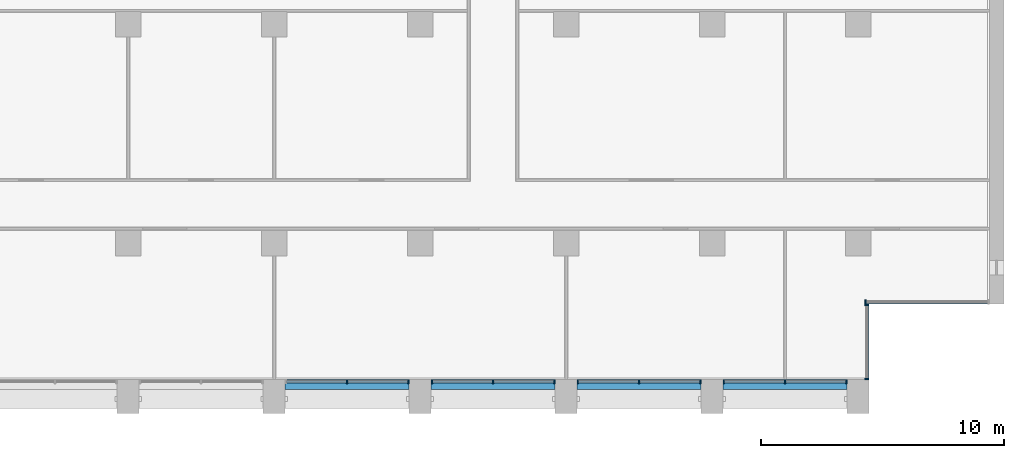
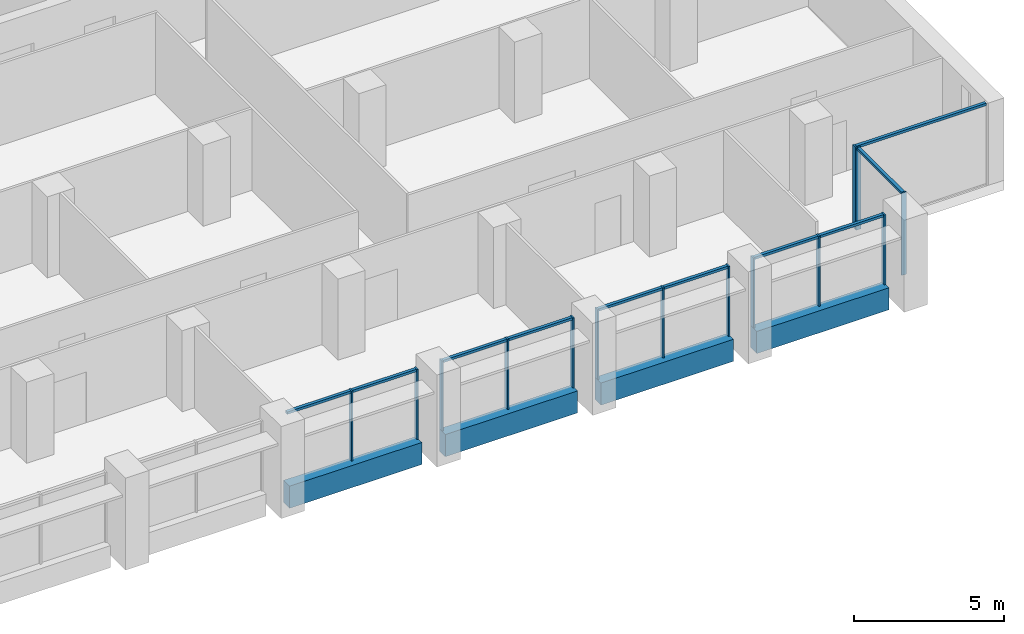
# One storey, part 3 of 17: 24 members, 4 beams, 6 elements without a shape of their own.
"""IFC4 building model written with IfcOpenShell, lengths in metres."""

from ifc_helpers import new_model, si_unit, direction, frame, origin, origin_2d, place, context, subcontext, project, spatial, rectangle, extrude, material, material_profile, profile_set, type_object, element, aggregate, save


model = new_model("IFC4")

# Units and contexts
model_context = context("Model", 3, precision=1e-05, world=origin(), true_north=direction((0.0, 1.0)))
body_context = subcontext(model_context, "Body", "Model", "MODEL_VIEW")
ifc_project = project(units=[si_unit("LENGTHUNIT", "METRE"), si_unit("AREAUNIT", "SQUARE_METRE"), si_unit("VOLUMEUNIT", "CUBIC_METRE"), si_unit("PLANEANGLEUNIT", "RADIAN"), si_unit("MASSUNIT", "GRAM", prefix="KILO")], contexts=[model_context])

# Site, building, storey
site_placement = place(None, origin())
site = spatial("IfcSite", under=ifc_project, at=site_placement, CompositionType="ELEMENT")
building_placement = place(site_placement, origin())
building = spatial("IfcBuilding", under=site, at=building_placement, Name="Calvaro Tower", CompositionType="ELEMENT")
storey_placement = place(building_placement, frame((0.0, 0.0, 204.25)))
storey = spatial("IfcBuildingStorey", under=building, at=storey_placement, Name="L51", CompositionType="ELEMENT", Elevation=204.25)

# Curtain wall, members
ifc_material_1 = material(Name="Anodised aluminium", Category="aluminium")
curtain_wall_type = type_object("IfcCurtainWallType", Name="Office curtain wall, upper zone", PredefinedType="NOTDEFINED", material=ifc_material_1)
curtain_wall_1_placement = place(storey_placement, origin())
curtain_wall_1 = element("IfcCurtainWall", 1, at=curtain_wall_1_placement, inside=storey, type_object=curtain_wall_type, Name="CW3 south curtain wall", PredefinedType="NOTDEFINED")
ifc_material_2 = material(Name="Anodised aluminium", Category="aluminium")
ifc_material_profile_1 = material_profile(ifc_material_2, rectangle(XDim=0.179931640625, YDim=0.06005859375, at=origin_2d()), Name="Mullion S3 60 x 180")
ifc_profile_set_1 = profile_set([ifc_material_profile_1], Name="Anodised aluminium")
member_type_1 = type_object("IfcMemberType", Name="Mullion S3 60 x 180", PredefinedType="MULLION", material=ifc_profile_set_1)
member_1_placement = place(storey_placement, frame((45.0, 4.31005859375, 0.0), z_axis=(0.0, 0.0, 1.0), x_axis=(0.0, 1.0, 0.0)))
member_1 = element("IfcMember", 2, at=member_1_placement, type_object=member_type_1, Name="CW3 mullion 2", PredefinedType="MULLION", context=body_context, shape_type="SweptSolid", body=[
    extrude(rectangle(XDim=0.179931640625, YDim=0.06005859375, at=origin_2d()), origin(), (0.0, 0.0, 1.0), 2.85009765625),
])
member_2_placement = place(storey_placement, frame((47.52001953125, 4.31005859375, 0.0), z_axis=(0.0, 0.0, 1.0), x_axis=(0.0, 1.0, 0.0)))
member_2 = element("IfcMember", 3, at=member_2_placement, type_object=member_type_1, Name="CW3 mullion 3", PredefinedType="MULLION", context=body_context, shape_type="SweptSolid", body=[
    extrude(rectangle(XDim=0.179931640625, YDim=0.06005859375, at=origin_2d()), origin(), (0.0, 0.0, 1.0), 2.85009765625),
])

curtain_wall_2_placement = place(storey_placement, origin())
curtain_wall_2 = element("IfcCurtainWall", 4, at=curtain_wall_2_placement, inside=storey, type_object=curtain_wall_type, Name="CW3 south curtain wall", PredefinedType="NOTDEFINED")
member_3_placement = place(storey_placement, frame((48.47998046875, 4.31005859375, 0.0), z_axis=(0.0, 0.0, 1.0), x_axis=(0.0, 1.0, 0.0)))
member_3 = element("IfcMember", 5, at=member_3_placement, type_object=member_type_1, Name="CW3 mullion 1", PredefinedType="MULLION", context=body_context, shape_type="SweptSolid", body=[
    extrude(rectangle(XDim=0.179931640625, YDim=0.06005859375, at=origin_2d()), origin(), (0.0, 0.0, 1.0), 2.85009765625),
])
member_4_placement = place(storey_placement, frame((51.0, 4.31005859375, 0.0), z_axis=(0.0, 0.0, 1.0), x_axis=(0.0, 1.0, 0.0)))
member_4 = element("IfcMember", 6, at=member_4_placement, type_object=member_type_1, Name="CW3 mullion 2", PredefinedType="MULLION", context=body_context, shape_type="SweptSolid", body=[
    extrude(rectangle(XDim=0.179931640625, YDim=0.06005859375, at=origin_2d()), origin(), (0.0, 0.0, 1.0), 2.85009765625),
])
member_5_placement = place(storey_placement, frame((53.52001953125, 4.31005859375, 0.0), z_axis=(0.0, 0.0, 1.0), x_axis=(0.0, 1.0, 0.0)))
member_5 = element("IfcMember", 7, at=member_5_placement, type_object=member_type_1, Name="CW3 mullion 3", PredefinedType="MULLION", context=body_context, shape_type="SweptSolid", body=[
    extrude(rectangle(XDim=0.179931640625, YDim=0.06005859375, at=origin_2d()), origin(), (0.0, 0.0, 1.0), 2.85009765625),
])

curtain_wall_3_placement = place(storey_placement, origin())
curtain_wall_3 = element("IfcCurtainWall", 8, at=curtain_wall_3_placement, inside=storey, type_object=curtain_wall_type, Name="CW3 south curtain wall", PredefinedType="NOTDEFINED")
member_6_placement = place(storey_placement, frame((54.47998046875, 4.31005859375, 0.0), z_axis=(0.0, 0.0, 1.0), x_axis=(0.0, 1.0, 0.0)))
member_6 = element("IfcMember", 9, at=member_6_placement, type_object=member_type_1, Name="CW3 mullion 1", PredefinedType="MULLION", context=body_context, shape_type="SweptSolid", body=[
    extrude(rectangle(XDim=0.179931640625, YDim=0.06005859375, at=origin_2d()), origin(), (0.0, 0.0, 1.0), 2.85009765625),
])
member_7_placement = place(storey_placement, frame((57.0, 4.31005859375, 0.0), z_axis=(0.0, 0.0, 1.0), x_axis=(0.0, 1.0, 0.0)))
member_7 = element("IfcMember", 10, at=member_7_placement, type_object=member_type_1, Name="CW3 mullion 2", PredefinedType="MULLION", context=body_context, shape_type="SweptSolid", body=[
    extrude(rectangle(XDim=0.179931640625, YDim=0.06005859375, at=origin_2d()), origin(), (0.0, 0.0, 1.0), 2.85009765625),
])
member_8_placement = place(storey_placement, frame((59.52001953125, 4.31005859375, 0.0), z_axis=(0.0, 0.0, 1.0), x_axis=(0.0, 1.0, 0.0)))
member_8 = element("IfcMember", 11, at=member_8_placement, type_object=member_type_1, Name="CW3 mullion 3", PredefinedType="MULLION", context=body_context, shape_type="SweptSolid", body=[
    extrude(rectangle(XDim=0.179931640625, YDim=0.06005859375, at=origin_2d()), origin(), (0.0, 0.0, 1.0), 2.85009765625),
])

curtain_wall_4_placement = place(storey_placement, origin())
curtain_wall_4 = element("IfcCurtainWall", 12, at=curtain_wall_4_placement, inside=storey, type_object=curtain_wall_type, Name="CW3 south curtain wall", PredefinedType="NOTDEFINED")
member_9_placement = place(storey_placement, frame((60.47998046875, 4.31005859375, 0.0), z_axis=(0.0, 0.0, 1.0), x_axis=(0.0, 1.0, 0.0)))
member_9 = element("IfcMember", 13, at=member_9_placement, type_object=member_type_1, Name="CW3 mullion 1", PredefinedType="MULLION", context=body_context, shape_type="SweptSolid", body=[
    extrude(rectangle(XDim=0.179931640625, YDim=0.06005859375, at=origin_2d()), origin(), (0.0, 0.0, 1.0), 2.85009765625),
])
member_10_placement = place(storey_placement, frame((63.0, 4.31005859375, 0.0), z_axis=(0.0, 0.0, 1.0), x_axis=(0.0, 1.0, 0.0)))
member_10 = element("IfcMember", 14, at=member_10_placement, type_object=member_type_1, Name="CW3 mullion 2", PredefinedType="MULLION", context=body_context, shape_type="SweptSolid", body=[
    extrude(rectangle(XDim=0.179931640625, YDim=0.06005859375, at=origin_2d()), origin(), (0.0, 0.0, 1.0), 2.85009765625),
])
member_11_placement = place(storey_placement, frame((65.52001953125, 4.31005859375, 0.0), z_axis=(0.0, 0.0, 1.0), x_axis=(0.0, 1.0, 0.0)))
member_11 = element("IfcMember", 15, at=member_11_placement, type_object=member_type_1, Name="CW3 mullion 3", PredefinedType="MULLION", context=body_context, shape_type="SweptSolid", body=[
    extrude(rectangle(XDim=0.179931640625, YDim=0.06005859375, at=origin_2d()), origin(), (0.0, 0.0, 1.0), 2.85009765625),
])

curtain_wall_5_placement = place(storey_placement, origin())
curtain_wall_5 = element("IfcCurtainWall", 16, at=curtain_wall_5_placement, inside=storey, type_object=curtain_wall_type, Name="CW3 corner curtain wall", PredefinedType="NOTDEFINED")
member_12_placement = place(storey_placement, frame((66.360107421875, 4.429931640625, 0.0), z_axis=(0.0, 0.0, 1.0), x_axis=(-1.0, 0.0, 0.0)))
member_12 = element("IfcMember", 17, at=member_12_placement, type_object=member_type_1, Name="CW3 mullion 1", PredefinedType="MULLION", context=body_context, shape_type="SweptSolid", body=[
    extrude(rectangle(XDim=0.179931640625, YDim=0.06005859375, at=origin_2d()), origin(), (0.0, 0.0, 1.0), 3.35009765625),
])
member_13_placement = place(storey_placement, frame((66.360107421875, 7.469970703125, 0.0), z_axis=(0.0, 0.0, 1.0), x_axis=(-1.0, 0.0, 0.0)))
member_13 = element("IfcMember", 18, at=member_13_placement, type_object=member_type_1, Name="CW3 mullion 2", PredefinedType="MULLION", context=body_context, shape_type="SweptSolid", body=[
    extrude(rectangle(XDim=0.179931640625, YDim=0.06005859375, at=origin_2d()), origin(), (0.0, 0.0, 1.0), 3.35009765625),
])

# Curtain wall, member
curtain_wall_6_placement = place(storey_placement, origin())
curtain_wall_6 = element("IfcCurtainWall", 19, at=curtain_wall_6_placement, inside=storey, type_object=curtain_wall_type, Name="CW3 corner curtain wall", PredefinedType="NOTDEFINED")
member_14_placement = place(storey_placement, frame((66.300048828125, 7.590087890625, 0.0), z_axis=(0.0, 0.0, 1.0), x_axis=(0.0, 1.0, 0.0)))
member_14 = element("IfcMember", 20, at=member_14_placement, type_object=member_type_1, Name="CW3 mullion 1", PredefinedType="MULLION", context=body_context, shape_type="SweptSolid", body=[
    extrude(rectangle(XDim=0.179931640625, YDim=0.06005859375, at=origin_2d()), origin(), (0.0, 0.0, 1.0), 3.35009765625),
])

# Beams
ifc_material_3 = material(Name="Concrete C50/60 precast", Category="concrete")
ifc_material_profile_2 = material_profile(ifc_material_3, rectangle(XDim=0.39990234375, YDim=0.89990234375, at=origin_2d()), Name="RC 400x900")
ifc_profile_set_2 = profile_set([ifc_material_profile_2], Name="Concrete C50/60 precast")
beam_type = type_object("IfcBeamType", Name="Spandrel beam 400x900 C50/60", PredefinedType="SPANDREL", material=ifc_profile_set_2)
for number, where, z_axis, x_axis, name in (
    (21, (42.449951171875, 4.199951171875, -0.449951171875), (1.0, 0.0, 0.0), (0.0, 1.0, 0.0), "Spandrel beam"),
    (22, (48.449951171875, 4.199951171875, -0.449951171875), (1.0, 0.0, 0.0), (0.0, 1.0, 0.0), "Spandrel beam"),
    (23, (54.449951171875, 4.199951171875, -0.449951171875), (1.0, 0.0, 0.0), (0.0, 1.0, 0.0), "Spandrel beam"),
    (24, (60.449951171875, 4.199951171875, -0.449951171875), (1.0, 0.0, 0.0), (0.0, 1.0, 0.0), "Spandrel beam"),
):
    element("IfcBeam", number, at=place(storey_placement, frame(where, z_axis=z_axis, x_axis=x_axis)), inside=storey, type_object=beam_type, Name=name, PredefinedType="SPANDREL", context=body_context, shape_type="SweptSolid", body=[
        extrude(rectangle(XDim=0.39990234375, YDim=0.89990234375, at=origin_2d()), origin(), (0.0, 0.0, 1.0), 5.10009765625),
    ])

# Member
ifc_material_4 = material(Name="Anodised aluminium", Category="aluminium")
ifc_material_profile_3 = material_profile(ifc_material_4, rectangle(XDim=0.1201171875, YDim=0.10009765625, at=origin_2d()), Name="Transom S3 100 x 120")
ifc_profile_set_3 = profile_set([ifc_material_profile_3], Name="Anodised aluminium")
member_type_2 = type_object("IfcMemberType", Name="Transom S3 100 x 120", PredefinedType="USERDEFINED", material=ifc_profile_set_3)
member_15_placement = place(storey_placement, frame((42.510009765625, 4.31005859375, 2.800048828125), z_axis=(1.0, 0.0, 0.0), x_axis=(0.0, 1.0, 0.0)))
member_15 = element("IfcMember", 25, at=member_15_placement, type_object=member_type_2, Name="CW3 transom 1.1", ObjectType="TRANSOM", PredefinedType="USERDEFINED", context=body_context, shape_type="SweptSolid", body=[
    extrude(rectangle(XDim=0.1201171875, YDim=0.10009765625, at=origin_2d()), origin(), (0.0, 0.0, 1.0), 2.4599609375),
])

member_16_placement = place(storey_placement, frame((45.030029296875, 4.31005859375, 2.800048828125), z_axis=(1.0, 0.0, 0.0), x_axis=(0.0, 1.0, 0.0)))
member_16 = element("IfcMember", 26, at=member_16_placement, type_object=member_type_2, Name="CW3 transom 2.1", ObjectType="TRANSOM", PredefinedType="USERDEFINED", context=body_context, shape_type="SweptSolid", body=[
    extrude(rectangle(XDim=0.1201171875, YDim=0.10009765625, at=origin_2d()), origin(), (0.0, 0.0, 1.0), 2.4599609375),
])

aggregate(curtain_wall_1, [member_1, member_2, member_15, member_16])

member_17_placement = place(storey_placement, frame((48.510009765625, 4.31005859375, 2.800048828125), z_axis=(1.0, 0.0, 0.0), x_axis=(0.0, 1.0, 0.0)))
member_17 = element("IfcMember", 27, at=member_17_placement, type_object=member_type_2, Name="CW3 transom 1.1", ObjectType="TRANSOM", PredefinedType="USERDEFINED", context=body_context, shape_type="SweptSolid", body=[
    extrude(rectangle(XDim=0.1201171875, YDim=0.10009765625, at=origin_2d()), origin(), (0.0, 0.0, 1.0), 2.4599609375),
])

member_18_placement = place(storey_placement, frame((51.030029296875, 4.31005859375, 2.800048828125), z_axis=(1.0, 0.0, 0.0), x_axis=(0.0, 1.0, 0.0)))
member_18 = element("IfcMember", 28, at=member_18_placement, type_object=member_type_2, Name="CW3 transom 2.1", ObjectType="TRANSOM", PredefinedType="USERDEFINED", context=body_context, shape_type="SweptSolid", body=[
    extrude(rectangle(XDim=0.1201171875, YDim=0.10009765625, at=origin_2d()), origin(), (0.0, 0.0, 1.0), 2.4599609375),
])

aggregate(curtain_wall_2, [member_3, member_4, member_5, member_17, member_18])

member_19_placement = place(storey_placement, frame((54.510009765625, 4.31005859375, 2.800048828125), z_axis=(1.0, 0.0, 0.0), x_axis=(0.0, 1.0, 0.0)))
member_19 = element("IfcMember", 29, at=member_19_placement, type_object=member_type_2, Name="CW3 transom 1.1", ObjectType="TRANSOM", PredefinedType="USERDEFINED", context=body_context, shape_type="SweptSolid", body=[
    extrude(rectangle(XDim=0.1201171875, YDim=0.10009765625, at=origin_2d()), origin(), (0.0, 0.0, 1.0), 2.4599609375),
])

member_20_placement = place(storey_placement, frame((57.030029296875, 4.31005859375, 2.800048828125), z_axis=(1.0, 0.0, 0.0), x_axis=(0.0, 1.0, 0.0)))
member_20 = element("IfcMember", 30, at=member_20_placement, type_object=member_type_2, Name="CW3 transom 2.1", ObjectType="TRANSOM", PredefinedType="USERDEFINED", context=body_context, shape_type="SweptSolid", body=[
    extrude(rectangle(XDim=0.1201171875, YDim=0.10009765625, at=origin_2d()), origin(), (0.0, 0.0, 1.0), 2.4599609375),
])

aggregate(curtain_wall_3, [member_6, member_7, member_8, member_19, member_20])

member_21_placement = place(storey_placement, frame((60.510009765625, 4.31005859375, 2.800048828125), z_axis=(1.0, 0.0, 0.0), x_axis=(0.0, 1.0, 0.0)))
member_21 = element("IfcMember", 31, at=member_21_placement, type_object=member_type_2, Name="CW3 transom 1.1", ObjectType="TRANSOM", PredefinedType="USERDEFINED", context=body_context, shape_type="SweptSolid", body=[
    extrude(rectangle(XDim=0.1201171875, YDim=0.10009765625, at=origin_2d()), origin(), (0.0, 0.0, 1.0), 2.4599609375),
])

member_22_placement = place(storey_placement, frame((63.030029296875, 4.31005859375, 2.800048828125), z_axis=(1.0, 0.0, 0.0), x_axis=(0.0, 1.0, 0.0)))
member_22 = element("IfcMember", 32, at=member_22_placement, type_object=member_type_2, Name="CW3 transom 2.1", ObjectType="TRANSOM", PredefinedType="USERDEFINED", context=body_context, shape_type="SweptSolid", body=[
    extrude(rectangle(XDim=0.1201171875, YDim=0.10009765625, at=origin_2d()), origin(), (0.0, 0.0, 1.0), 2.4599609375),
])

aggregate(curtain_wall_4, [member_9, member_10, member_11, member_21, member_22])

member_23_placement = place(storey_placement, frame((66.360107421875, 4.4599609375, 3.300048828125), z_axis=(0.0, 1.0, 0.0), x_axis=(-1.0, 0.0, 0.0)))
member_23 = element("IfcMember", 33, at=member_23_placement, type_object=member_type_2, Name="CW3 transom 1.1", ObjectType="TRANSOM", PredefinedType="USERDEFINED", context=body_context, shape_type="SweptSolid", body=[
    extrude(rectangle(XDim=0.1201171875, YDim=0.10009765625, at=origin_2d()), origin(), (0.0, 0.0, 1.0), 2.97998046875),
])

aggregate(curtain_wall_5, [member_12, member_13, member_23])

member_24_placement = place(storey_placement, frame((66.330078125, 7.590087890625, 3.300048828125), z_axis=(1.0, 0.0, 0.0), x_axis=(0.0, 1.0, 0.0)))
member_24 = element("IfcMember", 34, at=member_24_placement, type_object=member_type_2, Name="CW3 transom 1.1", ObjectType="TRANSOM", PredefinedType="USERDEFINED", context=body_context, shape_type="SweptSolid", body=[
    extrude(rectangle(XDim=0.1201171875, YDim=0.10009765625, at=origin_2d()), origin(), (0.0, 0.0, 1.0), 5.010009765625),
])

aggregate(curtain_wall_6, [member_14, member_24])

save(model, "model.ifc")
